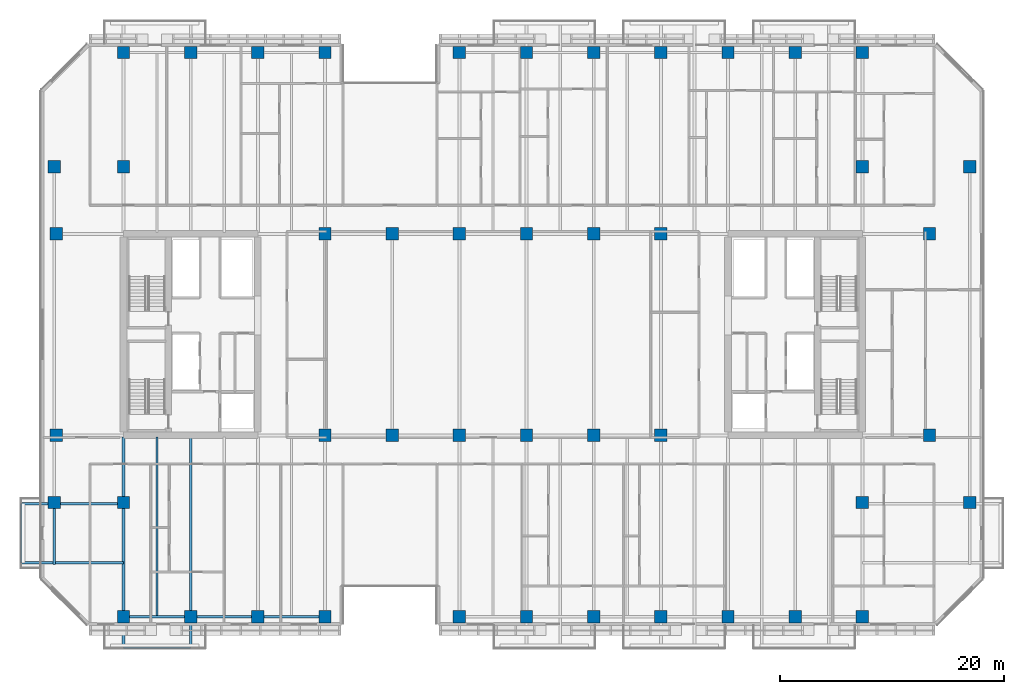
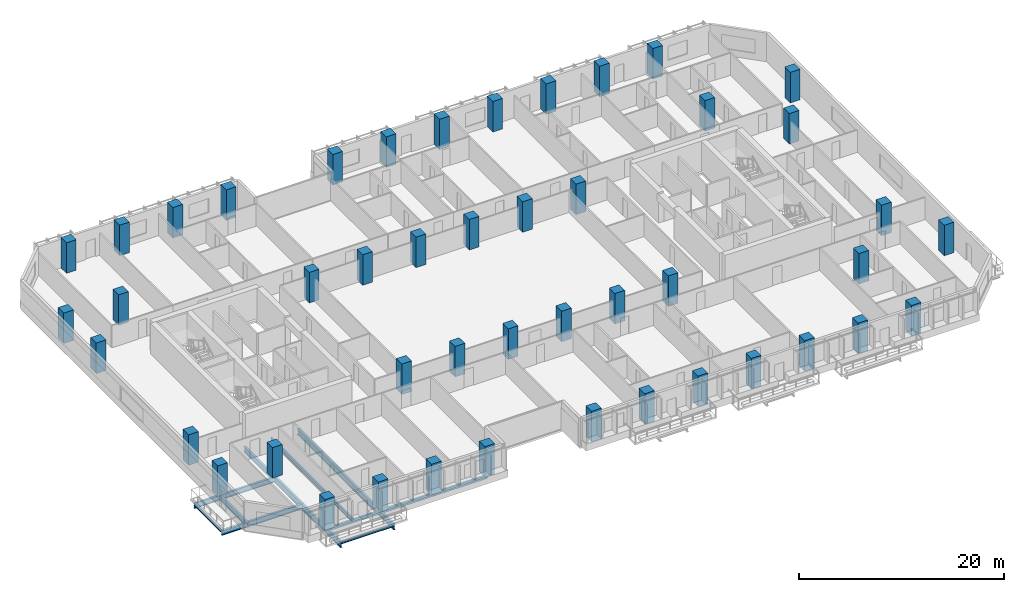
# One storey, part 1 of 26: 46 columns, 11 beams.
"""IFC4 building model written with IfcOpenShell, lengths in metres."""

from ifc_helpers import new_model, si_unit, direction, frame, origin, origin_2d, place, context, subcontext, project, spatial, rectangle, hollow_rectangle, i_section, extrude, material, material_profile, profile_set, type_object, element, save


model = new_model("IFC4")

# Units and contexts
model_context = context("Model", 3, precision=1e-05, world=origin(), true_north=direction((0.0, 1.0)))
body_context = subcontext(model_context, "Body", "Model", "MODEL_VIEW")
ifc_project = project(units=[si_unit("LENGTHUNIT", "METRE"), si_unit("AREAUNIT", "SQUARE_METRE"), si_unit("VOLUMEUNIT", "CUBIC_METRE"), si_unit("PLANEANGLEUNIT", "RADIAN"), si_unit("MASSUNIT", "GRAM", prefix="KILO")], contexts=[model_context])

# Site, building, storey
site_placement = place(None, origin())
site = spatial("IfcSite", under=ifc_project, at=site_placement, CompositionType="ELEMENT")
building_placement = place(site_placement, origin())
building = spatial("IfcBuilding", under=site, at=building_placement, Name="Tanjung Sevakor Pilgrim Tower", CompositionType="ELEMENT")
storey_placement = place(building_placement, frame((0.0, 0.0, 66.0)))
storey = spatial("IfcBuildingStorey", under=building, at=storey_placement, Name="L18", CompositionType="ELEMENT", Elevation=66.0)

# Columns
ifc_material_1 = material(Name="Concrete C60/75", Category="concrete")
ifc_material_profile_1 = material_profile(ifc_material_1, rectangle(XDim=1.10009765625, YDim=1.10009765625, at=origin_2d()))
ifc_profile_set_1 = profile_set([ifc_material_profile_1], Name="Concrete C60/75")
column_type = type_object("IfcColumnType", Name="COL-C-T1100-RC_1100x1100", PredefinedType="COLUMN", material=ifc_profile_set_1)
for number, where, z_axis, x_axis, name in (
    (1, (18.0, 24.60009765625, 0.0), (0.0, 0.0, 1.0), (1.0, 0.0, 0.0), "L18 Column SPW-018-246"),
    (2, (18.0, 42.60009765625, 0.0), (0.0, 0.0, 1.0), (1.0, 0.0, 0.0), "L18 Column SPW-018-426"),
    (3, (42.0, 24.60009765625, 0.0), (0.0, 0.0, 1.0), (1.0, 0.0, 0.0), "L18 Column SPW-042-246"),
    (4, (42.0, 42.60009765625, 0.0), (0.0, 0.0, 1.0), (1.0, 0.0, 0.0), "L18 Column SPW-042-426"),
    (5, (48.0, 24.60009765625, 0.0), (0.0, 0.0, 1.0), (1.0, 0.0, 0.0), "L18 Column SPW-048-246"),
    (6, (48.0, 42.60009765625, 0.0), (0.0, 0.0, 1.0), (1.0, 0.0, 0.0), "L18 Column SPW-048-426"),
    (7, (54.0, 24.60009765625, 0.0), (0.0, 0.0, 1.0), (1.0, 0.0, 0.0), "L18 Column SPE-054-246"),
    (8, (54.0, 42.60009765625, 0.0), (0.0, 0.0, 1.0), (1.0, 0.0, 0.0), "L18 Column SPE-054-426"),
    (9, (60.0, 24.60009765625, 0.0), (0.0, 0.0, 1.0), (1.0, 0.0, 0.0), "L18 Column SPE-060-246"),
    (10, (60.0, 42.60009765625, 0.0), (0.0, 0.0, 1.0), (1.0, 0.0, 0.0), "L18 Column SPE-060-426"),
    (11, (66.0, 24.60009765625, 0.0), (0.0, 0.0, 1.0), (1.0, 0.0, 0.0), "L18 Column SPE-066-246"),
    (12, (66.0, 42.60009765625, 0.0), (0.0, 0.0, 1.0), (1.0, 0.0, 0.0), "L18 Column SPE-066-426"),
    (13, (72.0, 24.60009765625, 0.0), (0.0, 0.0, 1.0), (1.0, 0.0, 0.0), "L18 Column SPE-072-246"),
    (14, (72.0, 42.60009765625, 0.0), (0.0, 0.0, 1.0), (1.0, 0.0, 0.0), "L18 Column SPE-072-426"),
    (15, (96.0, 24.60009765625, 0.0), (0.0, 0.0, 1.0), (1.0, 0.0, 0.0), "L18 Column SPE-096-246"),
    (16, (96.0, 42.60009765625, 0.0), (0.0, 0.0, 1.0), (1.0, 0.0, 0.0), "L18 Column SPE-096-426"),
    (17, (17.800048828125, 18.60009765625, 0.0), (0.0, 0.0, 1.0), (1.0, 0.0, 0.0), "L18 Column TCE-0178-186"),
    (18, (17.800048828125, 48.60009765625, 0.0), (0.0, 0.0, 1.0), (1.0, 0.0, 0.0), "L18 Column TCE-0178-486"),
    (19, (24.0, 18.60009765625, 0.0), (0.0, 0.0, 1.0), (1.0, 0.0, 0.0), "L18 Column TCE-0240-186"),
    (20, (24.0, 48.60009765625, 0.0), (0.0, 0.0, 1.0), (1.0, 0.0, 0.0), "L18 Column TCE-0240-486"),
    (21, (90.0, 18.60009765625, 0.0), (0.0, 0.0, 1.0), (1.0, 0.0, 0.0), "L18 Column TCE-0900-186"),
    (22, (90.0, 48.60009765625, 0.0), (0.0, 0.0, 1.0), (1.0, 0.0, 0.0), "L18 Column TCE-0900-486"),
    (23, (99.60009765625, 18.60009765625, 0.0), (0.0, 0.0, 1.0), (1.0, 0.0, 0.0), "L18 Column TCE-0996-186"),
    (24, (99.60009765625, 48.60009765625, 0.0), (0.0, 0.0, 1.0), (1.0, 0.0, 0.0), "L18 Column TCE-0996-486"),
    (25, (24.0, 8.39990234375, 0.0), (0.0, 0.0, 1.0), (1.0, 0.0, 0.0), "L18 Column TC1-024-084"),
    (26, (24.0, 58.800048828125, 0.0), (0.0, 0.0, 1.0), (1.0, 0.0, 0.0), "L18 Column TC1-024-588"),
    (27, (30.0, 8.39990234375, 0.0), (0.0, 0.0, 1.0), (1.0, 0.0, 0.0), "L18 Column TC1-030-084"),
    (28, (30.0, 58.800048828125, 0.0), (0.0, 0.0, 1.0), (1.0, 0.0, 0.0), "L18 Column TC1-030-588"),
    (29, (36.0, 8.39990234375, 0.0), (0.0, 0.0, 1.0), (1.0, 0.0, 0.0), "L18 Column TC1-036-084"),
    (30, (36.0, 58.800048828125, 0.0), (0.0, 0.0, 1.0), (1.0, 0.0, 0.0), "L18 Column TC1-036-588"),
    (31, (42.0, 8.39990234375, 0.0), (0.0, 0.0, 1.0), (1.0, 0.0, 0.0), "L18 Column TC1-042-084"),
    (32, (42.0, 58.800048828125, 0.0), (0.0, 0.0, 1.0), (1.0, 0.0, 0.0), "L18 Column TC1-042-588"),
    (33, (54.0, 8.39990234375, 0.0), (0.0, 0.0, 1.0), (1.0, 0.0, 0.0), "L18 Column TC1-054-084"),
    (34, (54.0, 58.800048828125, 0.0), (0.0, 0.0, 1.0), (1.0, 0.0, 0.0), "L18 Column TC1-054-588"),
    (35, (60.0, 8.39990234375, 0.0), (0.0, 0.0, 1.0), (1.0, 0.0, 0.0), "L18 Column TC1-060-084"),
    (36, (60.0, 58.800048828125, 0.0), (0.0, 0.0, 1.0), (1.0, 0.0, 0.0), "L18 Column TC1-060-588"),
    (37, (66.0, 8.39990234375, 0.0), (0.0, 0.0, 1.0), (1.0, 0.0, 0.0), "L18 Column TC1-066-084"),
    (38, (66.0, 58.800048828125, 0.0), (0.0, 0.0, 1.0), (1.0, 0.0, 0.0), "L18 Column TC1-066-588"),
    (39, (72.0, 8.39990234375, 0.0), (0.0, 0.0, 1.0), (1.0, 0.0, 0.0), "L18 Column TC1-072-084"),
    (40, (72.0, 58.800048828125, 0.0), (0.0, 0.0, 1.0), (1.0, 0.0, 0.0), "L18 Column TC1-072-588"),
    (41, (78.0, 8.39990234375, 0.0), (0.0, 0.0, 1.0), (1.0, 0.0, 0.0), "L18 Column TC1-078-084"),
    (42, (78.0, 58.800048828125, 0.0), (0.0, 0.0, 1.0), (1.0, 0.0, 0.0), "L18 Column TC1-078-588"),
    (43, (84.0, 8.39990234375, 0.0), (0.0, 0.0, 1.0), (1.0, 0.0, 0.0), "L18 Column TC1-084-084"),
    (44, (84.0, 58.800048828125, 0.0), (0.0, 0.0, 1.0), (1.0, 0.0, 0.0), "L18 Column TC1-084-588"),
    (45, (90.0, 8.39990234375, 0.0), (0.0, 0.0, 1.0), (1.0, 0.0, 0.0), "L18 Column TC1-090-084"),
    (46, (90.0, 58.800048828125, 0.0), (0.0, 0.0, 1.0), (1.0, 0.0, 0.0), "L18 Column TC1-090-588"),
):
    element("IfcColumn", number, at=place(storey_placement, frame(where, z_axis=z_axis, x_axis=x_axis)), inside=storey, type_object=column_type, Name=name, PredefinedType="COLUMN", context=body_context, shape_type="SweptSolid", body=[
        extrude(rectangle(XDim=1.10009765625, YDim=1.10009765625, at=origin_2d()), origin(), (0.0, 0.0, 1.0), 3.6298828125),
    ])

# Beams
ifc_material_2 = material(Name="Steel S355J2", Category="steel")
ifc_material_profile_2 = material_profile(ifc_material_2, i_section(OverallWidth=0.25439453125, OverallDepth=0.6875, WebThickness=0.01318359375, FlangeThickness=0.02099609375, FilletRadius=0.01513671875, at=origin_2d()))
ifc_profile_set_2 = profile_set([ifc_material_profile_2], Name="Steel S355J2")
beam_type_1 = type_object("IfcBeamType", Name="BM-B-G2-UB_686x254x152", PredefinedType="BEAM", material=ifc_profile_set_2)
for number, where, z_axis, x_axis, name in (
    (47, (24.0, 24.466064453125, -0.563720703125), (0.0, -1.0, 0.0), (1.0, 0.0, 0.0), "L18 Balcony Cantilever Beam MAIN-S1-1"),
    (48, (30.0, 24.466064453125, -0.563720703125), (0.0, -1.0, 0.0), (1.0, 0.0, 0.0), "L18 Balcony Cantilever Beam MAIN-S1-2"),
):
    element("IfcBeam", number, at=place(storey_placement, frame(where, z_axis=z_axis, x_axis=x_axis)), inside=storey, type_object=beam_type_1, Name=name, PredefinedType="BEAM", context=body_context, shape_type="SweptSolid", body=[
        extrude(i_section(OverallWidth=0.25439453125, OverallDepth=0.6875, WebThickness=0.01318359375, FlangeThickness=0.02099609375, FilletRadius=0.01513671875, at=origin_2d()), origin(), (0.0, 0.0, 1.0), 18.845947265625),
    ])
ifc_material_3 = material(Name="Steel S355J2", Category="steel")
ifc_material_profile_3 = material_profile(ifc_material_3, i_section(OverallWidth=0.22900390625, OverallDepth=0.6123046875, WebThickness=0.011962890625, FlangeThickness=0.01953125, FilletRadius=0.0126953125, at=origin_2d()))
ifc_profile_set_3 = profile_set([ifc_material_profile_3], Name="Steel S355J2")
beam_type_2 = type_object("IfcBeamType", Name="BM-B-G4-UB_610x229x125", PredefinedType="BEAM", material=ifc_profile_set_3)
beam_1_placement = place(storey_placement, frame((17.800048828125, 18.60009765625, -0.526123046875), z_axis=(0.0, -1.0, 0.0), x_axis=(1.0, 0.0, 0.0)))
element("IfcBeam", 49, at=beam_1_placement, inside=storey, type_object=beam_type_2, Name="L18 Short-End Edge Extension S-W", PredefinedType="BEAM", context=body_context, shape_type="SweptSolid", body=[
    extrude(i_section(OverallWidth=0.22900390625, OverallDepth=0.6123046875, WebThickness=0.011962890625, FlangeThickness=0.01953125, FilletRadius=0.0126953125, at=origin_2d()), origin(), (0.0, 0.0, 1.0), 5.550048828125),
])
for number, where, z_axis, x_axis, name in (
    (50, (24.0, 13.199951171875, -0.526123046875), (-1.0, 0.0, 0.0), (0.0, -1.0, 0.0), "L18 Balcony Overhanging Beam MAIN-W1-1"),
    (51, (24.0, 18.5, -0.526123046875), (-1.0, 0.0, 0.0), (0.0, -1.0, 0.0), "L18 Balcony Overhanging Beam MAIN-W1-2"),
):
    element("IfcBeam", number, at=place(storey_placement, frame(where, z_axis=z_axis, x_axis=x_axis)), inside=storey, type_object=beam_type_2, Name=name, PredefinedType="BEAM", context=body_context, shape_type="SweptSolid", body=[
        extrude(i_section(OverallWidth=0.22900390625, OverallDepth=0.6123046875, WebThickness=0.011962890625, FlangeThickness=0.01953125, FilletRadius=0.0126953125, at=origin_2d()), origin(), (0.0, 0.0, 1.0), 9.1298828125),
    ])
ifc_material_4 = material(Name="Steel S355J2", Category="steel")
ifc_material_profile_4 = material_profile(ifc_material_4, i_section(OverallWidth=0.19140625, OverallDepth=0.4599609375, WebThickness=0.010009765625, FlangeThickness=0.01611328125, FilletRadius=0.01025390625, at=origin_2d()))
ifc_profile_set_4 = profile_set([ifc_material_profile_4], Name="Steel S355J2")
beam_type_3 = type_object("IfcBeamType", Name="BM-B-J2-UB_457x191x82", PredefinedType="JOIST", material=ifc_profile_set_4)
beam_2_placement = place(storey_placement, frame((27.0, 8.5, -0.449951171875), z_axis=(0.0, 1.0, 0.0), x_axis=(-1.0, 0.0, 0.0)))
element("IfcBeam", 52, at=beam_2_placement, inside=storey, type_object=beam_type_3, Name="L18 MAIN Joist 001", PredefinedType="JOIST", context=body_context, shape_type="SweptSolid", body=[
    extrude(i_section(OverallWidth=0.19140625, OverallDepth=0.4599609375, WebThickness=0.010009765625, FlangeThickness=0.01611328125, FilletRadius=0.01025390625, at=origin_2d()), origin(), (0.0, 0.0, 1.0), 15.966064453125),
])
ifc_material_5 = material(Name="Steel S355J2", Category="steel")
ifc_material_profile_5 = material_profile(ifc_material_5, i_section(OverallWidth=0.146484375, OverallDepth=0.256103515625, WebThickness=0.00634765625, FlangeThickness=0.010986328125, FilletRadius=0.007568359375, at=origin_2d()))
ifc_profile_set_5 = profile_set([ifc_material_profile_5], Name="Steel S355J2")
beam_type_4 = type_object("IfcBeamType", Name="BM-B-J6-UB_254x146x37", PredefinedType="JOIST", material=ifc_profile_set_5)
beam_3_placement = place(storey_placement, frame((24.0, 5.6201171875, -0.327880859375), z_axis=(1.0, 0.0, 0.0), x_axis=(0.0, 1.0, 0.0)))
element("IfcBeam", 53, at=beam_3_placement, inside=storey, type_object=beam_type_4, Name="L18 Balcony Rim Tie MAIN-S1", PredefinedType="JOIST", context=body_context, shape_type="SweptSolid", body=[
    extrude(i_section(OverallWidth=0.146484375, OverallDepth=0.256103515625, WebThickness=0.00634765625, FlangeThickness=0.010986328125, FilletRadius=0.007568359375, at=origin_2d()), origin(), (0.0, 0.0, 1.0), 6.0),
])
beam_4_placement = place(storey_placement, frame((14.8701171875, 13.199951171875, -0.327880859375), z_axis=(0.0, 1.0, 0.0), x_axis=(-1.0, 0.0, 0.0)))
element("IfcBeam", 54, at=beam_4_placement, inside=storey, type_object=beam_type_4, Name="L18 Balcony Rim Tie MAIN-W1", PredefinedType="JOIST", context=body_context, shape_type="SweptSolid", body=[
    extrude(i_section(OverallWidth=0.146484375, OverallDepth=0.256103515625, WebThickness=0.00634765625, FlangeThickness=0.010986328125, FilletRadius=0.007568359375, at=origin_2d()), origin(), (0.0, 0.0, 1.0), 5.300048828125),
])
ifc_material_6 = material(Name="Steel S355J2", Category="steel")
ifc_material_profile_6 = material_profile(ifc_material_6, hollow_rectangle(XDim=0.199951171875, YDim=0.39990234375, WallThickness=0.01611328125, at=origin_2d()))
ifc_profile_set_6 = profile_set([ifc_material_profile_6], Name="Steel S355J2")
beam_type_5 = type_object("IfcBeamType", Name="BM-B-SP2-RHS_400x200x16", PredefinedType="SPANDREL", material=ifc_profile_set_6)
for number, where, z_axis, x_axis, name in (
    (55, (24.0, 8.39990234375, -0.419921875), (1.0, 0.0, 0.0), (0.0, 1.0, 0.0), "L18 Spandrel MAIN S-01"),
    (56, (30.0, 8.39990234375, -0.419921875), (1.0, 0.0, 0.0), (0.0, 1.0, 0.0), "L18 Spandrel MAIN S-03"),
    (57, (36.0, 8.39990234375, -0.419921875), (1.0, 0.0, 0.0), (0.0, 1.0, 0.0), "L18 Spandrel MAIN S-05"),
):
    element("IfcBeam", number, at=place(storey_placement, frame(where, z_axis=z_axis, x_axis=x_axis)), inside=storey, type_object=beam_type_5, Name=name, PredefinedType="SPANDREL", context=body_context, shape_type="SweptSolid", body=[
        extrude(hollow_rectangle(XDim=0.199951171875, YDim=0.39990234375, WallThickness=0.01611328125, at=origin_2d()), origin(), (0.0, 0.0, 1.0), 6.0),
    ])

save(model, "model.ifc")
